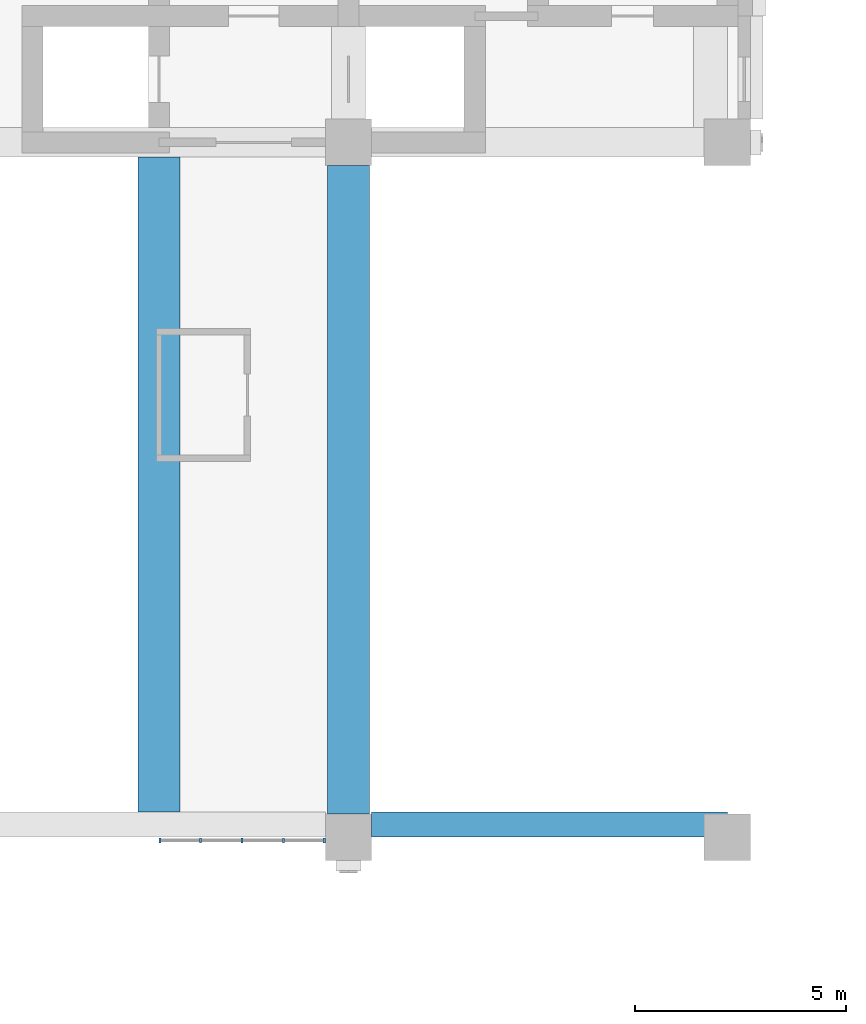
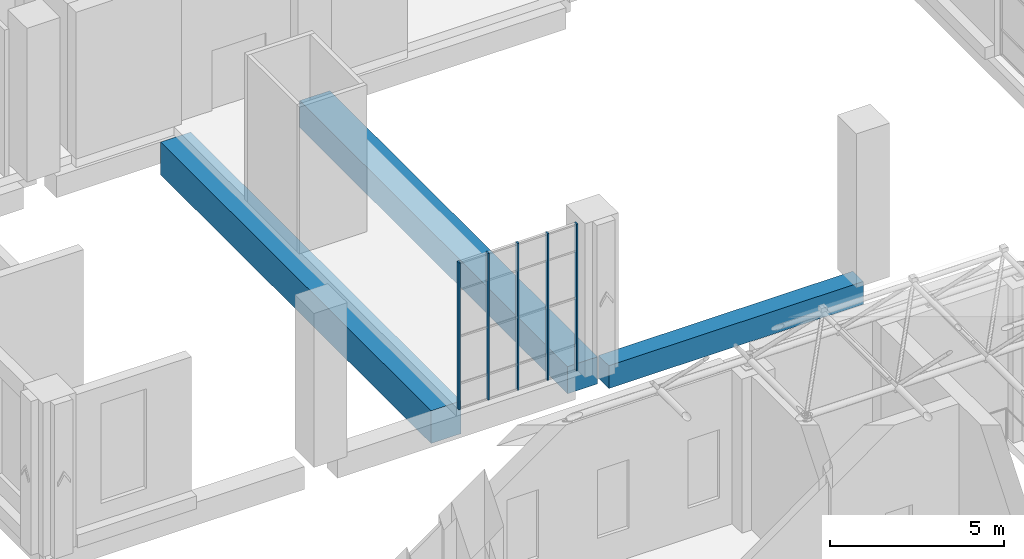
# One storey, part 10 of 53: 5 members, 3 beams, 1 element without a shape of its own.
"""IFC4 building model written with IfcOpenShell, lengths in metres."""

from ifc_helpers import new_model, si_unit, direction, frame, origin, origin_2d, place, context, subcontext, project, spatial, rectangle, extrude, material, layer, layer_set, material_profile, profile_set, type_object, element, aggregate, save


model = new_model("IFC4")

# Units and contexts
model_context = context("Model", 3, precision=1e-05, world=origin(), true_north=direction((0.0, 1.0)))
body_context = subcontext(model_context, "Body", "Model", "MODEL_VIEW")
ifc_project = project(units=[si_unit("LENGTHUNIT", "METRE"), si_unit("AREAUNIT", "SQUARE_METRE"), si_unit("VOLUMEUNIT", "CUBIC_METRE"), si_unit("PLANEANGLEUNIT", "RADIAN"), si_unit("MASSUNIT", "GRAM", prefix="KILO")], contexts=[model_context])

# Site, building, storey
site_placement = place(None, origin())
site = spatial("IfcSite", under=ifc_project, at=site_placement, CompositionType="ELEMENT")
building_placement = place(site_placement, origin())
building = spatial("IfcBuilding", under=site, at=building_placement, Name="Aurelan Courthouse", CompositionType="ELEMENT")
storey_placement = place(building_placement, frame((0.0, 0.0, 12.0)))
storey = spatial("IfcBuildingStorey", under=building, at=storey_placement, Name="L02", CompositionType="ELEMENT", Elevation=12.0)

# Curtain wall, members
ifc_material_1 = material(Name="Bronze-finished aluminium and glass", Category="aluminium")
ifc_layer = layer(ifc_material_1, 0.14990234375)
ifc_layer_set = layer_set([ifc_layer], Name="Bronze-finished aluminium and glass")
curtain_wall_type = type_object("IfcCurtainWallType", Name="Curtain wall 3950 x 5150", PredefinedType="NOTDEFINED", material=ifc_layer_set)
curtain_wall_placement = place(storey_placement, origin())
curtain_wall = element("IfcCurtainWall", 1, at=curtain_wall_placement, inside=storey, type_object=curtain_wall_type, Name="Curtain wall CW-V2-L02-S01", PredefinedType="NOTDEFINED")
ifc_material_2 = material(Name="Bronze-finished aluminium", Category="aluminium")
ifc_material_profile_1 = material_profile(ifc_material_2, rectangle(XDim=0.1201171875, YDim=0.050048828125, at=origin_2d()), Name="Bronze mullion 50 x 120")
ifc_profile_set_1 = profile_set([ifc_material_profile_1], Name="Bronze-finished aluminium")
member_type = type_object("IfcMemberType", Name="Curtain wall mullion 50 x 120", PredefinedType="MULLION", material=ifc_profile_set_1)
member_1_placement = place(storey_placement, frame((49.52490234375, 37.425048828125, 0.0), z_axis=(0.0, 0.0, 1.0), x_axis=(0.0, 1.0, 0.0)))
member_1 = element("IfcMember", 2, at=member_1_placement, type_object=member_type, Name="CW-V2-L02-S01 mullion 1", PredefinedType="MULLION", context=body_context, shape_type="SweptSolid", body=[
    extrude(rectangle(XDim=0.1201171875, YDim=0.050048828125, at=origin_2d()), origin(), (0.0, 0.0, 1.0), 5.14990234375),
])
member_2_placement = place(storey_placement, frame((50.487548828125, 37.425048828125, 0.0), z_axis=(0.0, 0.0, 1.0), x_axis=(0.0, 1.0, 0.0)))
member_2 = element("IfcMember", 3, at=member_2_placement, type_object=member_type, Name="CW-V2-L02-S01 mullion 2", PredefinedType="MULLION", context=body_context, shape_type="SweptSolid", body=[
    extrude(rectangle(XDim=0.1201171875, YDim=0.050048828125, at=origin_2d()), origin(), (0.0, 0.0, 1.0), 5.14990234375),
])
member_3_placement = place(storey_placement, frame((51.47509765625, 37.425048828125, 0.0), z_axis=(0.0, 0.0, 1.0), x_axis=(0.0, 1.0, 0.0)))
member_3 = element("IfcMember", 4, at=member_3_placement, type_object=member_type, Name="CW-V2-L02-S01 mullion 3", PredefinedType="MULLION", context=body_context, shape_type="SweptSolid", body=[
    extrude(rectangle(XDim=0.1201171875, YDim=0.050048828125, at=origin_2d()), origin(), (0.0, 0.0, 1.0), 5.14990234375),
])
member_4_placement = place(storey_placement, frame((52.46240234375, 37.425048828125, 0.0), z_axis=(0.0, 0.0, 1.0), x_axis=(0.0, 1.0, 0.0)))
member_4 = element("IfcMember", 5, at=member_4_placement, type_object=member_type, Name="CW-V2-L02-S01 mullion 4", PredefinedType="MULLION", context=body_context, shape_type="SweptSolid", body=[
    extrude(rectangle(XDim=0.1201171875, YDim=0.050048828125, at=origin_2d()), origin(), (0.0, 0.0, 1.0), 5.14990234375),
])
member_5_placement = place(storey_placement, frame((53.425048828125, 37.425048828125, 0.0), z_axis=(0.0, 0.0, 1.0), x_axis=(0.0, 1.0, 0.0)))
member_5 = element("IfcMember", 6, at=member_5_placement, type_object=member_type, Name="CW-V2-L02-S01 mullion 5", PredefinedType="MULLION", context=body_context, shape_type="SweptSolid", body=[
    extrude(rectangle(XDim=0.1201171875, YDim=0.050048828125, at=origin_2d()), origin(), (0.0, 0.0, 1.0), 5.14990234375),
])
aggregate(curtain_wall, [member_1, member_2, member_3, member_4, member_5])

# Beams
ifc_material_3 = material(Name="Concrete C50", Category="concrete")
ifc_material_profile_2 = material_profile(ifc_material_3, rectangle(XDim=1.0, YDim=0.949951171875, at=origin_2d()), Name="RC 1000 x 950")
ifc_profile_set_2 = profile_set([ifc_material_profile_2], Name="Concrete C50")
beam_type_1 = type_object("IfcBeamType", Name="PT girder 1000 x 950", PredefinedType="BEAM", material=ifc_profile_set_2)
beam_1_placement = place(storey_placement, frame((54.0, 38.050048828125, -0.77490234375), z_axis=(0.0, 1.0, 0.0), x_axis=(-1.0, 0.0, 0.0)))
element("IfcBeam", 7, at=beam_1_placement, inside=storey, type_object=beam_type_1, Name="Girder GB-7DE", PredefinedType="BEAM", context=body_context, shape_type="SweptSolid", body=[
    extrude(rectangle(XDim=1.0, YDim=0.949951171875, at=origin_2d()), origin(), (0.0, 0.0, 1.0), 15.39990234375),
])
ifc_material_profile_3 = material_profile(ifc_material_3, rectangle(XDim=0.60009765625, YDim=0.800048828125, at=origin_2d()), Name="RC 600 x 800")
ifc_profile_set_3 = profile_set([ifc_material_profile_3], Name="Concrete C50")
beam_type_2 = type_object("IfcBeamType", Name="RC spandrel beam 600 x 800", PredefinedType="SPANDREL", material=ifc_profile_set_3)
beam_2_placement = place(storey_placement, frame((54.550048828125, 37.800048828125, -0.699951171875), z_axis=(1.0, 0.0, 0.0), x_axis=(0.0, 1.0, 0.0)))
element("IfcBeam", 8, at=beam_2_placement, inside=storey, type_object=beam_type_2, Name="Spandrel beam SB-D-7-8", PredefinedType="SPANDREL", context=body_context, shape_type="SweptSolid", body=[
    extrude(rectangle(XDim=0.60009765625, YDim=0.800048828125, at=origin_2d()), origin(), (0.0, 0.0, 1.0), 8.449951171875),
])
ifc_material_4 = material(Name="Concrete C40", Category="concrete")
ifc_material_profile_4 = material_profile(ifc_material_4, rectangle(XDim=1.0, YDim=1.14990234375, at=origin_2d()), Name="RC 1000 x 1150")
ifc_profile_set_4 = profile_set([ifc_material_profile_4], Name="Concrete C40")
beam_type_3 = type_object("IfcBeamType", Name="RC trimmer beam 1000 x 1150", PredefinedType="JOIST", material=ifc_profile_set_4)
beam_3_placement = place(storey_placement, frame((49.5, 38.10009765625, -0.875), z_axis=(0.0, 1.0, 0.0), x_axis=(-1.0, 0.0, 0.0)))
element("IfcBeam", 9, at=beam_3_placement, inside=storey, type_object=beam_type_3, Name="Trimmer beam TB-L02-005", PredefinedType="JOIST", context=body_context, shape_type="SweptSolid", body=[
    extrude(rectangle(XDim=1.0, YDim=1.14990234375, at=origin_2d()), origin(), (0.0, 0.0, 1.0), 15.5498046875),
])

save(model, "model.ifc")
